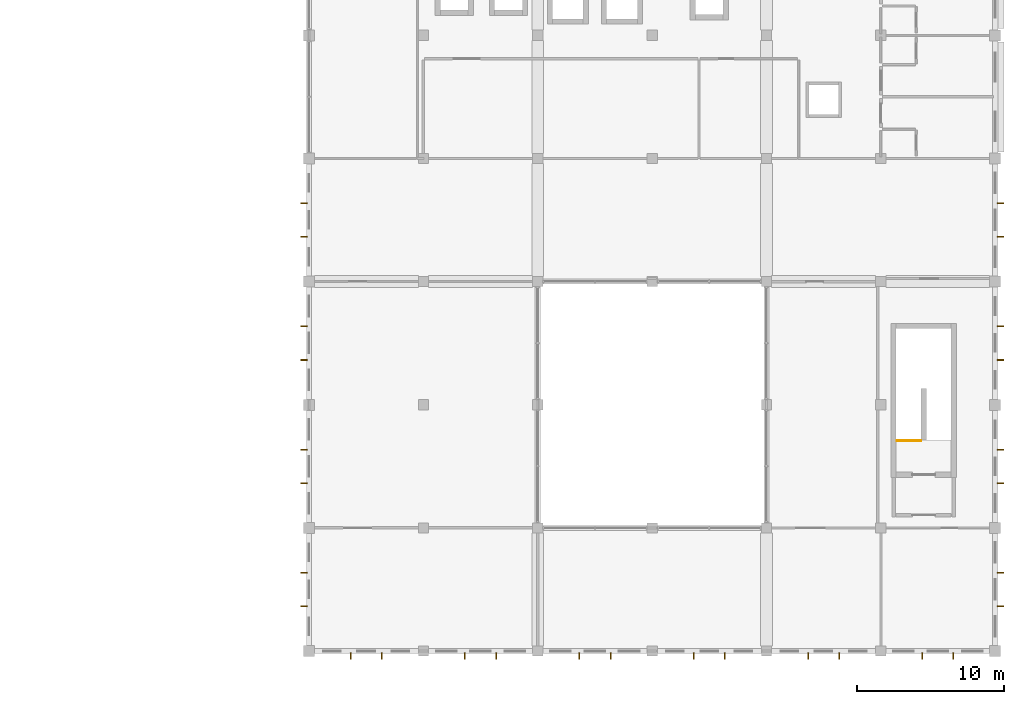
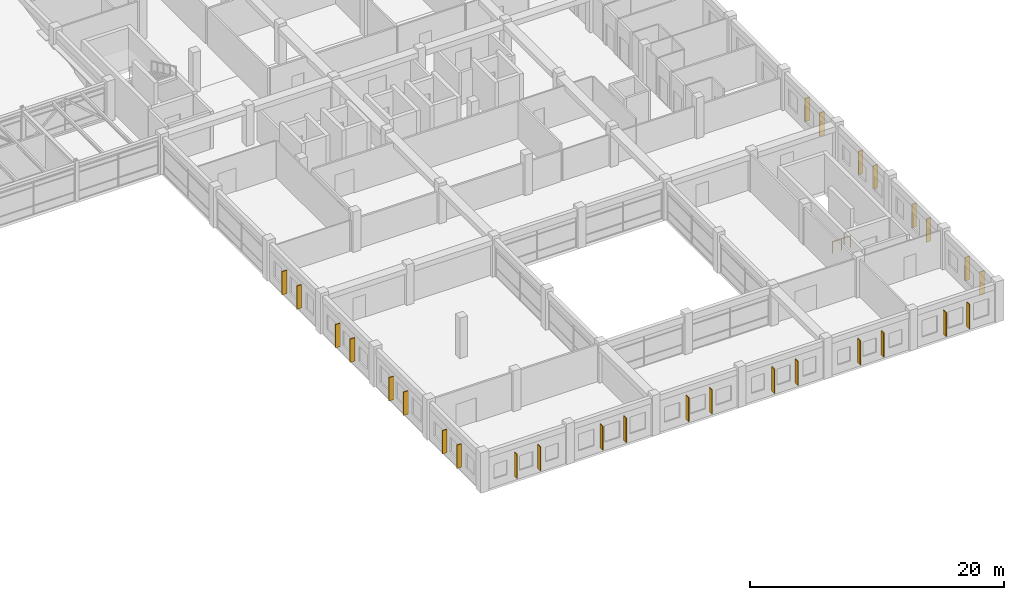
# One storey, part 67 of 72: 28 shading devices, 1 railing.
"""IFC4 building model written with IfcOpenShell, lengths in metres."""

from ifc_helpers import new_model, si_unit, direction, frame, origin, origin_2d, place, context, subcontext, project, spatial, rectangle, circle, extrude, material, layer, layer_set, type_object, element, save


model = new_model("IFC4")

# Units and contexts
model_context = context("Model", 3, precision=1e-05, world=origin(), true_north=direction((0.0, 1.0)))
body_context = subcontext(model_context, "Body", "Model", "MODEL_VIEW")
ifc_project = project(units=[si_unit("LENGTHUNIT", "METRE"), si_unit("AREAUNIT", "SQUARE_METRE"), si_unit("VOLUMEUNIT", "CUBIC_METRE"), si_unit("PLANEANGLEUNIT", "RADIAN"), si_unit("MASSUNIT", "GRAM", prefix="KILO"), si_unit("THERMODYNAMICTEMPERATUREUNIT", "KELVIN"), si_unit("POWERUNIT", "WATT")], contexts=[model_context])

# Site, building, storey
site_placement = place(None, origin())
site = spatial("IfcSite", under=ifc_project, at=site_placement, CompositionType="ELEMENT")
building_placement = place(site_placement, origin())
building = spatial("IfcBuilding", under=site, at=building_placement, Name="Srebrne Nadtorze General Hospital", CompositionType="ELEMENT")
storey_placement = place(building_placement, frame((0.0, 0.0, 22.199951171875)))
storey = spatial("IfcBuildingStorey", under=building, at=storey_placement, Name="L05", CompositionType="ELEMENT", Elevation=22.199951171875)

# Shading devices
ifc_material_1 = material(Name="Anodised Aluminium", Category="aluminium")
ifc_layer = layer(ifc_material_1, 0.070068359375)
ifc_layer_set = layer_set([ifc_layer], Name="Anodised Aluminium")
shading_device_type = type_object("IfcShadingDeviceType", Name="Koushi vertical brise-soleil fin", PredefinedType="SHUTTER", material=ifc_layer_set)
for number, where, z_axis, x_axis, name in (
    (1, (104.251220703125, -0.35009765625, 0.4267578125), (0.0, 0.0, 1.0), (1.0, 0.0, 0.0), "Clinic koushi vertical fin LV-299"),
    (2, (106.373779296875, -0.35009765625, 0.4267578125), (0.0, 0.0, 1.0), (1.0, 0.0, 0.0), "Clinic koushi vertical fin LV-300"),
    (3, (112.034912109375, -0.35009765625, 0.4267578125), (0.0, 0.0, 1.0), (1.0, 0.0, 0.0), "Clinic koushi vertical fin LV-301"),
    (4, (114.1650390625, -0.35009765625, 0.4267578125), (0.0, 0.0, 1.0), (1.0, 0.0, 0.0), "Clinic koushi vertical fin LV-302"),
    (5, (119.8349609375, -0.35009765625, 0.4267578125), (0.0, 0.0, 1.0), (1.0, 0.0, 0.0), "Clinic koushi vertical fin LV-303"),
    (6, (121.965087890625, -0.35009765625, 0.4267578125), (0.0, 0.0, 1.0), (1.0, 0.0, 0.0), "Clinic koushi vertical fin LV-304"),
    (7, (127.635009765625, -0.35009765625, 0.4267578125), (0.0, 0.0, 1.0), (1.0, 0.0, 0.0), "Clinic koushi vertical fin LV-305"),
    (8, (129.764892578125, -0.35009765625, 0.4267578125), (0.0, 0.0, 1.0), (1.0, 0.0, 0.0), "Clinic koushi vertical fin LV-306"),
    (9, (135.43505859375, -0.35009765625, 0.4267578125), (0.0, 0.0, 1.0), (1.0, 0.0, 0.0), "Clinic koushi vertical fin LV-307"),
    (10, (137.56494140625, -0.35009765625, 0.4267578125), (0.0, 0.0, 1.0), (1.0, 0.0, 0.0), "Clinic koushi vertical fin LV-308"),
    (11, (143.226318359375, -0.35009765625, 0.4267578125), (0.0, 0.0, 1.0), (1.0, 0.0, 0.0), "Clinic koushi vertical fin LV-309"),
    (12, (145.3486328125, -0.35009765625, 0.4267578125), (0.0, 0.0, 1.0), (1.0, 0.0, 0.0), "Clinic koushi vertical fin LV-310"),
):
    element("IfcShadingDevice", number, at=place(storey_placement, frame(where, z_axis=z_axis, x_axis=x_axis)), inside=storey, type_object=shading_device_type, Name=name, PredefinedType="SHUTTER", context=body_context, shape_type="SweptSolid", body=[
        extrude(rectangle(XDim=0.070068359375, YDim=0.43994140625, at=origin_2d()), origin(), (0.0, 0.0, 1.0), 2.318115234375),
    ])
for number, where, z_axis, x_axis, name in (
    (13, (101.050048828125, 3.052490234375, 0.4130859375), (0.0, 0.0, 1.0), (1.0, 0.0, 0.0), "Clinic koushi vertical fin LV-328"),
    (14, (101.050048828125, 5.347412109375, 0.4130859375), (0.0, 0.0, 1.0), (1.0, 0.0, 0.0), "Clinic koushi vertical fin LV-329"),
    (15, (101.050048828125, 11.452392578125, 0.4130859375), (0.0, 0.0, 1.0), (1.0, 0.0, 0.0), "Clinic koushi vertical fin LV-330"),
    (16, (101.050048828125, 13.74755859375, 0.4130859375), (0.0, 0.0, 1.0), (1.0, 0.0, 0.0), "Clinic koushi vertical fin LV-331"),
    (17, (101.050048828125, 19.8525390625, 0.4130859375), (0.0, 0.0, 1.0), (1.0, 0.0, 0.0), "Clinic koushi vertical fin LV-332"),
    (18, (101.050048828125, 22.1474609375, 0.4130859375), (0.0, 0.0, 1.0), (1.0, 0.0, 0.0), "Clinic koushi vertical fin LV-333"),
    (19, (101.050048828125, 28.25244140625, 0.4130859375), (0.0, 0.0, 1.0), (1.0, 0.0, 0.0), "Clinic koushi vertical fin LV-334"),
    (20, (101.050048828125, 30.547607421875, 0.4130859375), (0.0, 0.0, 1.0), (1.0, 0.0, 0.0), "Clinic koushi vertical fin LV-335"),
    (21, (148.550048828125, 3.052490234375, 0.4130859375), (0.0, 0.0, 1.0), (1.0, 0.0, 0.0), "Clinic koushi vertical fin LV-340"),
    (22, (148.550048828125, 5.347412109375, 0.4130859375), (0.0, 0.0, 1.0), (1.0, 0.0, 0.0), "Clinic koushi vertical fin LV-341"),
    (23, (148.550048828125, 11.452392578125, 0.4130859375), (0.0, 0.0, 1.0), (1.0, 0.0, 0.0), "Clinic koushi vertical fin LV-342"),
    (24, (148.550048828125, 13.74755859375, 0.4130859375), (0.0, 0.0, 1.0), (1.0, 0.0, 0.0), "Clinic koushi vertical fin LV-343"),
    (25, (148.550048828125, 19.8525390625, 0.4130859375), (0.0, 0.0, 1.0), (1.0, 0.0, 0.0), "Clinic koushi vertical fin LV-344"),
    (26, (148.550048828125, 22.1474609375, 0.4130859375), (0.0, 0.0, 1.0), (1.0, 0.0, 0.0), "Clinic koushi vertical fin LV-345"),
    (27, (148.550048828125, 28.25244140625, 0.4130859375), (0.0, 0.0, 1.0), (1.0, 0.0, 0.0), "Clinic koushi vertical fin LV-346"),
    (28, (148.550048828125, 30.547607421875, 0.4130859375), (0.0, 0.0, 1.0), (1.0, 0.0, 0.0), "Clinic koushi vertical fin LV-347"),
):
    element("IfcShadingDevice", number, at=place(storey_placement, frame(where, z_axis=z_axis, x_axis=x_axis)), inside=storey, type_object=shading_device_type, Name=name, PredefinedType="SHUTTER", context=body_context, shape_type="SweptSolid", body=[
        extrude(rectangle(XDim=0.43994140625, YDim=0.070068359375, at=origin_2d()), origin(), (0.0, 0.0, 1.0), 2.241943359375),
    ])

# Railing
ifc_material_2 = material(Name="Stainless Steel 316", Category="steel")
railing_type = type_object("IfcRailingType", Name="Stairwell safety guard 1120", PredefinedType="BALUSTRADE", material=ifc_material_2)
railing_placement = place(storey_placement, frame((141.489990234375, 14.340087890625, 0.0)))
element("IfcRailing", 29, at=railing_placement, inside=storey, type_object=railing_type, Name="Top stairwell guard ST-08", PredefinedType="BALUSTRADE", context=body_context, shape_type="SweptSolid", body=[
    extrude(circle(Radius=0.02392578125, at=origin_2d()), frame((0.0, 0.0, 1.09619140625), z_axis=(1.0, 0.0, 0.0), x_axis=(0.0, 1.0, 0.0)), (0.0, 0.0, 1.0), 1.655029296875),
    extrude(circle(Radius=0.02099609375, at=origin_2d()), origin(), (0.0, 0.0, 1.0), 1.072021484375),
    extrude(circle(Radius=0.02099609375, at=origin_2d()), frame((0.82763671875, 0.0, 0.0)), (0.0, 0.0, 1.0), 1.072021484375),
    extrude(circle(Radius=0.02099609375, at=origin_2d()), frame((1.655029296875, 0.0, 0.0)), (0.0, 0.0, 1.0), 1.072021484375),
])

save(model, "model.ifc")
